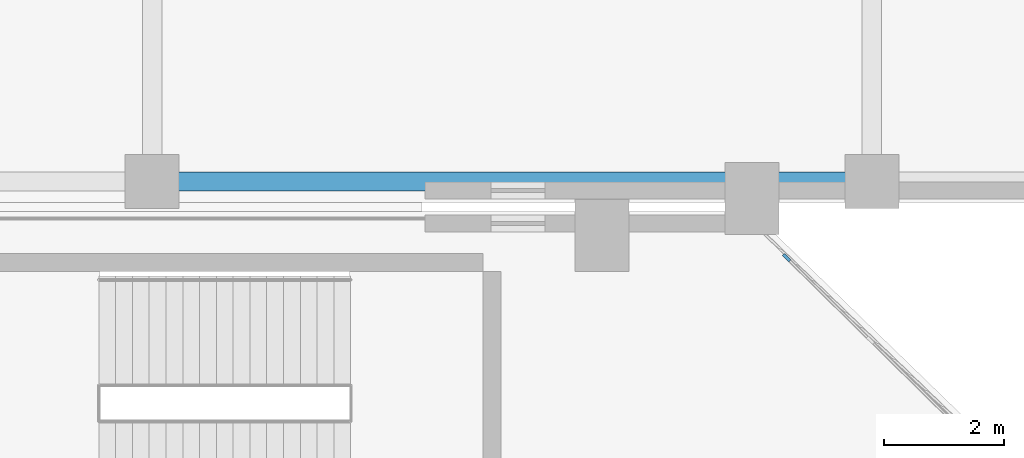
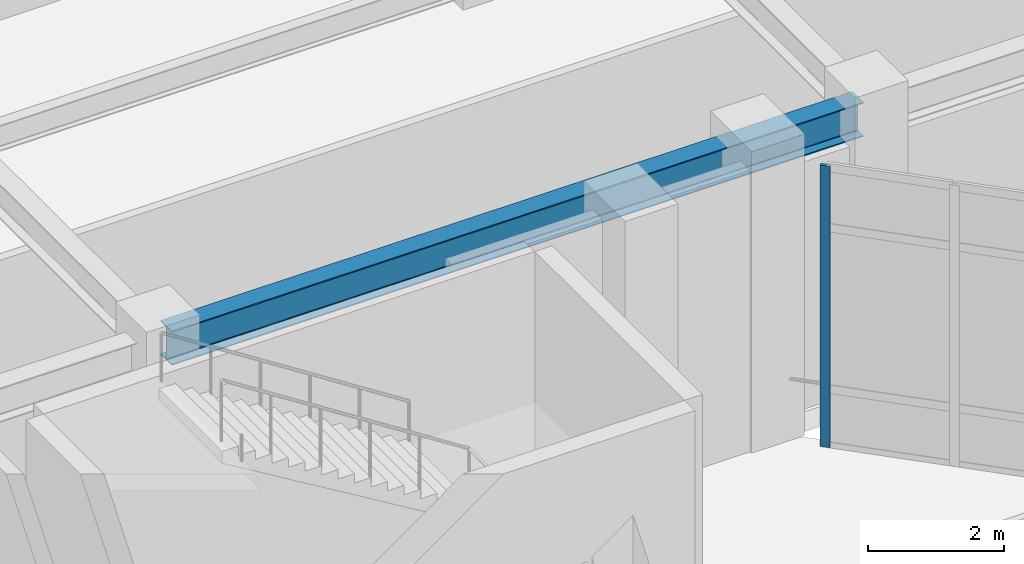
# One storey, part 56 of 159: 1 beam, 1 member, 1 element without a shape of its own.
"""IFC4 building model written with IfcOpenShell, lengths in metres."""

from ifc_helpers import new_model, si_unit, derived_unit, direction, frame, origin, origin_2d, place, context, subcontext, project, spatial, rectangle, i_section, extrude, material, layer, layer_set, material_profile, profile_set, type_object, element, aggregate, save


model = new_model("IFC4")

# Units and contexts
model_context = context("Model", 3, precision=1e-05, world=origin(), true_north=direction((0.0, 1.0)))
body_context = subcontext(model_context, "Body", "Model", "MODEL_VIEW")
ifc_project = project(units=[si_unit("LENGTHUNIT", "METRE"), si_unit("AREAUNIT", "SQUARE_METRE"), si_unit("VOLUMEUNIT", "CUBIC_METRE"), si_unit("PLANEANGLEUNIT", "RADIAN"), si_unit("MASSUNIT", "GRAM", prefix="KILO"), derived_unit("THERMALTRANSMITTANCEUNIT", [(si_unit("MASSUNIT", "GRAM", prefix="KILO"), 1), (si_unit("TIMEUNIT", "SECOND"), -3), (si_unit("THERMODYNAMICTEMPERATUREUNIT", "KELVIN"), -1)])], contexts=[model_context])

# Site, building, storey
site_placement = place(None, origin())
site = spatial("IfcSite", under=ifc_project, at=site_placement, CompositionType="ELEMENT")
building_placement = place(site_placement, origin())
building = spatial("IfcBuilding", under=site, at=building_placement, Name="Valcora Ridge Arena", CompositionType="ELEMENT")
storey_placement = place(building_placement, frame((0.0, 0.0, 6.0)))
storey = spatial("IfcBuildingStorey", under=building, at=storey_placement, Name="L01", CompositionType="ELEMENT", Elevation=6.0)

# Beam
ifc_material_1 = material(Name="Steel ASTM A572 Grade 50", Category="steel")
ifc_material_profile_1 = material_profile(ifc_material_1, i_section(OverallWidth=0.324951171875, OverallDepth=0.612060546875, WebThickness=0.0126953125, FlangeThickness=0.01904296875, FilletRadius=0.01806640625, at=origin_2d()), Name="W24X104")
ifc_profile_set_1 = profile_set([ifc_material_profile_1], Name="Steel ASTM A572 Grade 50")
beam_type = type_object("IfcBeamType", Name="TY-BEAM-G-W24X104-X", PredefinedType="BEAM", material=ifc_profile_set_1)
beam_placement = place(storey_placement, frame((84.139892578125, 108.699951171875, 4.73388671875), z_axis=(1.0, 0.0, 0.0), x_axis=(0.0, 1.0, 0.0)))
element("IfcBeam", 1, at=beam_placement, inside=storey, type_object=beam_type, Name="G-W24X104-X BEM-G-W24X104-X-0040", PredefinedType="BEAM", context=body_context, shape_type="SweptSolid", body=[
    extrude(i_section(OverallWidth=0.324951171875, OverallDepth=0.612060546875, WebThickness=0.0126953125, FlangeThickness=0.01904296875, FilletRadius=0.01806640625, at=origin_2d()), origin(), (0.0, 0.0, 1.0), 11.72021484375),
])

# Curtain wall, member
ifc_material_2 = material(Name="Anodised dark bronze architectural aluminium 6063-T6", Category="aluminium")
ifc_layer = layer(ifc_material_2, 0.14990234375, Name="Anodised dark bronze architectural aluminium 6063-T6")
ifc_layer_set = layer_set([ifc_layer], Name="Anodised dark bronze architectural aluminium 6063-T6")
curtain_wall_type = type_object("IfcCurtainWallType", Name="TY-CURTAINWALL-CW-V1-EAST-119X50", PredefinedType="NOTDEFINED", material=ifc_layer_set)
curtain_wall_placement = place(storey_placement, origin())
curtain_wall = element("IfcCurtainWall", 2, at=curtain_wall_placement, inside=storey, type_object=curtain_wall_type, Name="CW-V1-EAST-119X50 CW-0113", PredefinedType="NOTDEFINED")
ifc_material_profile_2 = material_profile(ifc_material_2, rectangle(XDim=0.050048828125, YDim=0.14990234375, at=origin_2d()), Name="ALU MULLION 50x150")
ifc_profile_set_2 = profile_set([ifc_material_profile_2], Name="Anodised dark bronze architectural aluminium 6063-T6")
member_type = type_object("IfcMemberType", Name="TY-MEM-CWM-50x150", PredefinedType="MULLION", material=ifc_profile_set_2)
member_placement = place(storey_placement, frame((94.577880859375, 107.4306640625, 0.0), z_axis=(0.0, 0.0, 1.0), x_axis=(-0.701847279194, -0.712327450466, 0.0)))
member = element("IfcMember", 3, at=member_placement, type_object=member_type, Name="CW-0113/CWM-50x150/M06", PredefinedType="MULLION", context=body_context, shape_type="SweptSolid", body=[
    extrude(rectangle(XDim=0.050048828125, YDim=0.14990234375, at=origin_2d()), origin(), (0.0, 0.0, 1.0), 5.0400390625),
])
aggregate(curtain_wall, [member])

save(model, "model.ifc")
